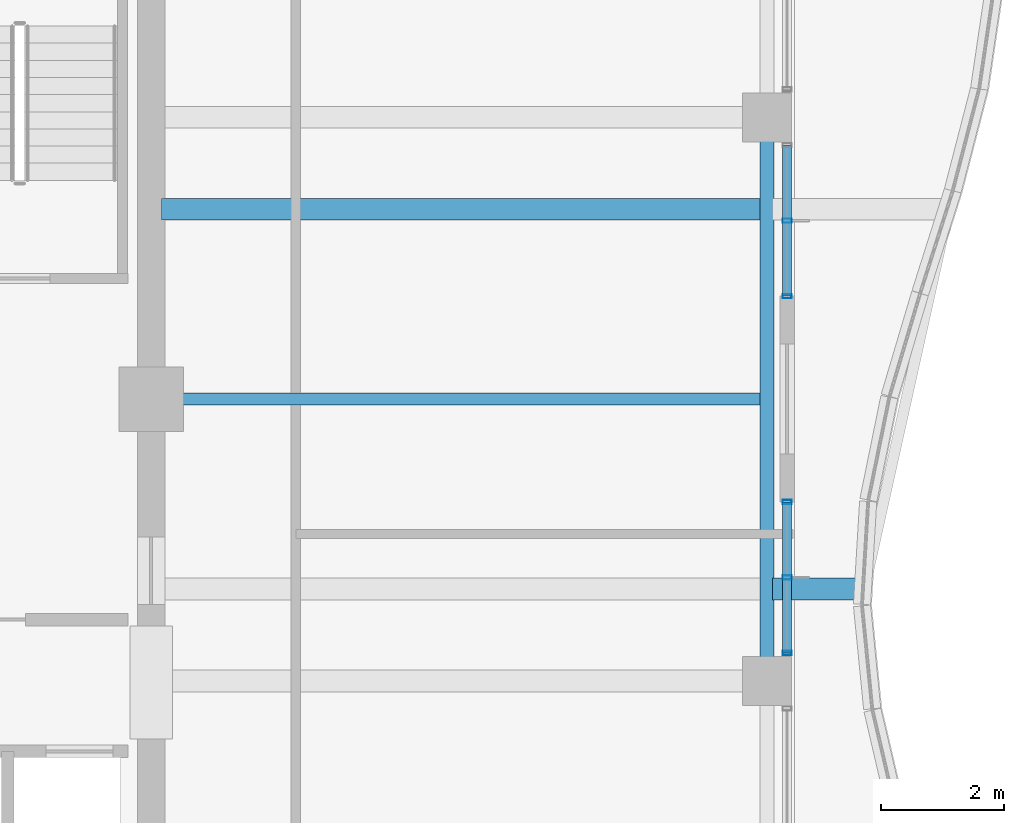
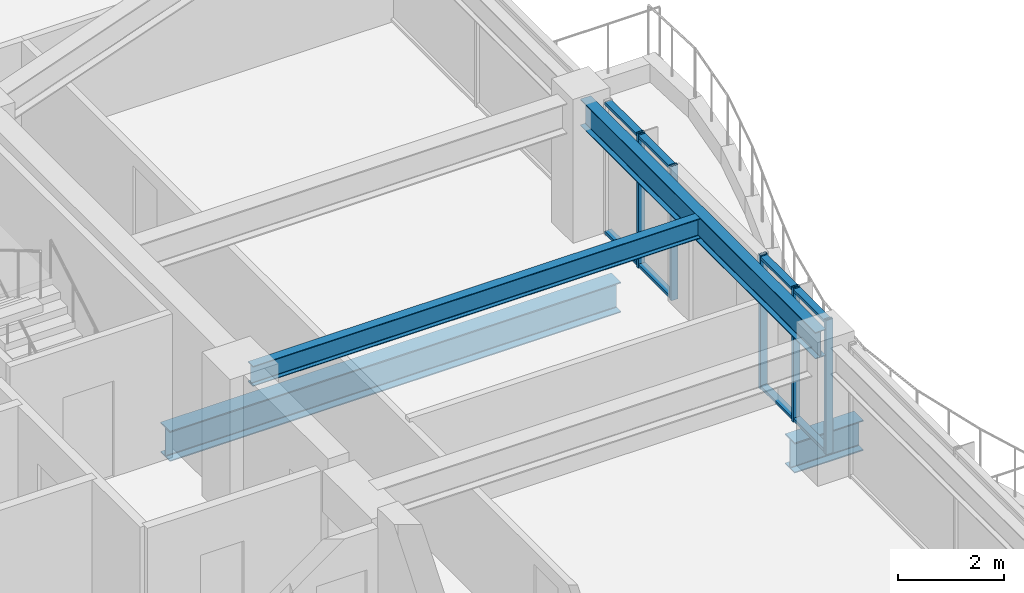
# One storey, part 13 of 34: 9 members, 4 beams, 2 elements without a shape of their own.
"""IFC4 building model written with IfcOpenShell, lengths in metres."""

from ifc_helpers import new_model, si_unit, direction, frame, origin, origin_2d, place, context, subcontext, project, spatial, hollow_rectangle, i_section, extrude, material, material_profile, profile_set, type_object, element, aggregate, save


model = new_model("IFC4")

# Units and contexts
model_context = context("Model", 3, precision=1e-05, world=origin(), true_north=direction((0.0, 1.0)))
body_context = subcontext(model_context, "Body", "Model", "MODEL_VIEW")
ifc_project = project(units=[si_unit("LENGTHUNIT", "METRE"), si_unit("AREAUNIT", "SQUARE_METRE"), si_unit("VOLUMEUNIT", "CUBIC_METRE"), si_unit("PLANEANGLEUNIT", "RADIAN"), si_unit("MASSUNIT", "GRAM", prefix="KILO")], contexts=[model_context])

# Site, building, storey
site_placement = place(None, origin())
site = spatial("IfcSite", under=ifc_project, at=site_placement, CompositionType="ELEMENT")
building_placement = place(site_placement, origin())
building = spatial("IfcBuilding", under=site, at=building_placement, Name="Kolvaren Belvedere", CompositionType="ELEMENT")
storey_placement = place(building_placement, frame((0.0, 0.0, 222.89990234375)))
storey = spatial("IfcBuildingStorey", under=building, at=storey_placement, Name="L65", CompositionType="ELEMENT", Elevation=222.89990234375)

# Beams
ifc_material_1 = material(Name="Structural steel ASTM A992 Grade 50", Category="steel")
ifc_material_profile_1 = material_profile(ifc_material_1, i_section(OverallWidth=0.35498046875, OverallDepth=0.696044921875, WebThickness=0.015380859375, FlangeThickness=0.02490234375, FilletRadius=0.02197265625, at=origin_2d()), Name="W27X146")
ifc_profile_set_1 = profile_set([ifc_material_profile_1], Name="Structural steel ASTM A992 Grade 50")
beam_type_1 = type_object("IfcBeamType", Name="BM-CANT-BAL", PredefinedType="BEAM", material=ifc_profile_set_1)
beam_1_placement = place(storey_placement, frame((20.044921875, -3.10009765625, -0.56787109375), z_axis=(1.0, 0.0, 0.0), x_axis=(0.0, 1.0, 0.0)))
element("IfcBeam", 1, at=beam_1_placement, inside=storey, type_object=beam_type_1, Name="L65 Planted Balcony Cantilever BAL-E-1", PredefinedType="BEAM", context=body_context, shape_type="SweptSolid", body=[
    extrude(i_section(OverallWidth=0.35498046875, OverallDepth=0.696044921875, WebThickness=0.015380859375, FlangeThickness=0.02490234375, FilletRadius=0.02197265625, at=origin_2d()), origin(), (0.0, 0.0, 1.0), 1.49267578125),
])
ifc_material_2 = material(Name="Structural steel ASTM A992 Grade 50", Category="steel")
ifc_material_profile_2 = material_profile(ifc_material_2, i_section(OverallWidth=0.35498046875, OverallDepth=0.696044921875, WebThickness=0.015380859375, FlangeThickness=0.02490234375, FilletRadius=0.02197265625, at=origin_2d()), Name="W27X146")
ifc_profile_set_2 = profile_set([ifc_material_profile_2], Name="Structural steel ASTM A992 Grade 50")
beam_type_2 = type_object("IfcBeamType", Name="BM-GIRD-W27X146", PredefinedType="BEAM", material=ifc_profile_set_2)
beam_2_placement = place(storey_placement, frame((10.06494140625, 3.10009765625, -0.56787109375), z_axis=(1.0, 0.0, 0.0), x_axis=(0.0, 1.0, 0.0)))
element("IfcBeam", 2, at=beam_2_placement, inside=storey, type_object=beam_type_2, Name="L65 Balcony Interior Back-Span Girder BAL-E-2", PredefinedType="BEAM", context=body_context, shape_type="SweptSolid", body=[
    extrude(i_section(OverallWidth=0.35498046875, OverallDepth=0.696044921875, WebThickness=0.015380859375, FlangeThickness=0.02490234375, FilletRadius=0.02197265625, at=origin_2d()), origin(), (0.0, 0.0, 1.0), 9.7900390625),
])
ifc_material_3 = material(Name="Structural steel ASTM A992 Grade 50", Category="steel")
ifc_material_profile_3 = material_profile(ifc_material_3, i_section(OverallWidth=0.19091796875, OverallDepth=0.4599609375, WebThickness=0.010009765625, FlangeThickness=0.01611328125, FilletRadius=0.014892578125, at=origin_2d()), Name="W18X55")
ifc_profile_set_3 = profile_set([ifc_material_profile_3], Name="Structural steel ASTM A992 Grade 50")
beam_type_3 = type_object("IfcBeamType", Name="BM-JOIST-W18X55", PredefinedType="BEAM", material=ifc_profile_set_3)
beam_3_placement = place(storey_placement, frame((10.125, 0.0, 2.85009765625), z_axis=(1.0, 0.0, 0.0), x_axis=(0.0, 1.0, 0.0)))
element("IfcBeam", 3, at=beam_3_placement, inside=storey, type_object=beam_type_3, Name="L65 East Centre Floor Beam", PredefinedType="BEAM", context=body_context, shape_type="SweptSolid", body=[
    extrude(i_section(OverallWidth=0.19091796875, OverallDepth=0.4599609375, WebThickness=0.010009765625, FlangeThickness=0.01611328125, FilletRadius=0.014892578125, at=origin_2d()), origin(), (0.0, 0.0, 1.0), 9.71044921875),
])
ifc_material_4 = material(Name="Structural steel ASTM A992 Grade 50", Category="steel")
ifc_material_profile_4 = material_profile(ifc_material_4, i_section(OverallWidth=0.22900390625, OverallDepth=0.612060546875, WebThickness=0.011962890625, FlangeThickness=0.01953125, FilletRadius=0.01806640625, at=origin_2d()), Name="W24X84")
ifc_profile_set_4 = profile_set([ifc_material_profile_4], Name="Structural steel ASTM A992 Grade 50")
beam_type_4 = type_object("IfcBeamType", Name="BM-SPAN-W24X84", PredefinedType="SPANDREL", material=ifc_profile_set_4)
beam_4_placement = place(storey_placement, frame((19.949951171875, -4.419921875, 2.774169921875), z_axis=(0.0, 1.0, 0.0), x_axis=(-1.0, 0.0, 0.0)))
element("IfcBeam", 4, at=beam_4_placement, inside=storey, type_object=beam_type_4, Name="L65 Perimeter Spandrel E2-E3", PredefinedType="SPANDREL", context=body_context, shape_type="SweptSolid", body=[
    extrude(i_section(OverallWidth=0.22900390625, OverallDepth=0.612060546875, WebThickness=0.011962890625, FlangeThickness=0.01953125, FilletRadius=0.01806640625, at=origin_2d()), origin(), (0.0, 0.0, 1.0), 8.83984375),
])

# Curtain wall, members
ifc_material_5 = material(Name="Anodised pale-metal aluminium AA 6063-T6", Category="aluminium")
curtain_wall_type = type_object("IfcCurtainWallType", Name="CW-Z5-HIGH", PredefinedType="NOTDEFINED", material=ifc_material_5)
curtain_wall_1_placement = place(storey_placement, origin())
curtain_wall_1 = element("IfcCurtainWall", 5, at=curtain_wall_1_placement, inside=storey, type_object=curtain_wall_type, Name="L65 Unitised Curtain Wall FCW-L65-E1-B2", PredefinedType="NOTDEFINED")
ifc_material_6 = material(Name="Anodised pale-metal aluminium AA 6063-T6", Category="aluminium")
ifc_material_profile_5 = material_profile(ifc_material_6, hollow_rectangle(XDim=0.070068359375, YDim=0.14990234375, WallThickness=0.004150390625, at=origin_2d()), Name="ALU-MUL-150X70")
ifc_profile_set_5 = profile_set([ifc_material_profile_5], Name="Anodised pale-metal aluminium AA 6063-T6")
member_type_1 = type_object("IfcMemberType", Name="CW-MUL-150", PredefinedType="MULLION", material=ifc_profile_set_5)
member_1_placement = place(storey_placement, frame((20.280029296875, 2.91259765625, 0.0), z_axis=(0.0, 0.0, 1.0), x_axis=(0.0, 1.0, 0.0)))
member_1 = element("IfcMember", 6, at=member_1_placement, type_object=member_type_1, Name="FCW-L65-E1-B2 Unitised Mullion 2", PredefinedType="MULLION", context=body_context, shape_type="SweptSolid", body=[
    extrude(hollow_rectangle(XDim=0.070068359375, YDim=0.14990234375, WallThickness=0.004150390625, at=origin_2d()), origin(), (0.0, 0.0, 1.0), 3.080078125),
])
member_2_placement = place(storey_placement, frame((20.280029296875, 1.679931640625, 0.0), z_axis=(0.0, 0.0, 1.0), x_axis=(0.0, 1.0, 0.0)))
member_2 = element("IfcMember", 7, at=member_2_placement, type_object=member_type_1, Name="FCW-L65-E1-B2 Unitised Mullion 3", PredefinedType="MULLION", context=body_context, shape_type="SweptSolid", body=[
    extrude(hollow_rectangle(XDim=0.070068359375, YDim=0.14990234375, WallThickness=0.004150390625, at=origin_2d()), origin(), (0.0, 0.0, 1.0), 3.080078125),
])

curtain_wall_2_placement = place(storey_placement, origin())
curtain_wall_2 = element("IfcCurtainWall", 8, at=curtain_wall_2_placement, inside=storey, type_object=curtain_wall_type, Name="L65 Unitised Curtain Wall FCW-L65-E2-B1", PredefinedType="NOTDEFINED")
member_3_placement = place(storey_placement, frame((20.280029296875, -1.679931640625, 0.0), z_axis=(0.0, 0.0, 1.0), x_axis=(0.0, 1.0, 0.0)))
member_3 = element("IfcMember", 9, at=member_3_placement, type_object=member_type_1, Name="FCW-L65-E2-B1 Unitised Mullion 1", PredefinedType="MULLION", context=body_context, shape_type="SweptSolid", body=[
    extrude(hollow_rectangle(XDim=0.070068359375, YDim=0.14990234375, WallThickness=0.004150390625, at=origin_2d()), origin(), (0.0, 0.0, 1.0), 3.080078125),
])
member_4_placement = place(storey_placement, frame((20.280029296875, -2.91259765625, 0.0), z_axis=(0.0, 0.0, 1.0), x_axis=(0.0, 1.0, 0.0)))
member_4 = element("IfcMember", 10, at=member_4_placement, type_object=member_type_1, Name="FCW-L65-E2-B1 Unitised Mullion 2", PredefinedType="MULLION", context=body_context, shape_type="SweptSolid", body=[
    extrude(hollow_rectangle(XDim=0.070068359375, YDim=0.14990234375, WallThickness=0.004150390625, at=origin_2d()), origin(), (0.0, 0.0, 1.0), 3.080078125),
])
member_5_placement = place(storey_placement, frame((20.280029296875, -4.14501953125, 0.0), z_axis=(0.0, 0.0, 1.0), x_axis=(0.0, 1.0, 0.0)))
member_5 = element("IfcMember", 11, at=member_5_placement, type_object=member_type_1, Name="FCW-L65-E2-B1 Unitised Mullion 3", PredefinedType="MULLION", context=body_context, shape_type="SweptSolid", body=[
    extrude(hollow_rectangle(XDim=0.070068359375, YDim=0.14990234375, WallThickness=0.004150390625, at=origin_2d()), origin(), (0.0, 0.0, 1.0), 3.080078125),
])

# Member
ifc_material_7 = material(Name="Anodised pale-metal aluminium AA 6063-T6", Category="aluminium")
ifc_material_profile_6 = material_profile(ifc_material_7, hollow_rectangle(XDim=0.06494140625, YDim=0.14990234375, WallThickness=0.00390625, at=origin_2d()), Name="ALU-TRN-150X65")
ifc_profile_set_6 = profile_set([ifc_material_profile_6], Name="Anodised pale-metal aluminium AA 6063-T6")
member_type_2 = type_object("IfcMemberType", Name="CW-TRN-150", PredefinedType="USERDEFINED", material=ifc_profile_set_6)
member_6_placement = place(storey_placement, frame((20.280029296875, 4.14501953125, 0.06005859375), z_axis=(0.0, -1.0, 0.0), x_axis=(0.0, 0.0, 1.0)))
member_6 = element("IfcMember", 12, at=member_6_placement, type_object=member_type_2, Name="FCW-L65-E1-B2 Sill Transom", ObjectType="TRANSOM", PredefinedType="USERDEFINED", context=body_context, shape_type="SweptSolid", body=[
    extrude(hollow_rectangle(XDim=0.06494140625, YDim=0.14990234375, WallThickness=0.00390625, at=origin_2d()), origin(), (0.0, 0.0, 1.0), 2.465087890625),
])

member_7_placement = place(storey_placement, frame((20.280029296875, 4.14501953125, 3.02001953125), z_axis=(0.0, -1.0, 0.0), x_axis=(0.0, 0.0, 1.0)))
member_7 = element("IfcMember", 13, at=member_7_placement, type_object=member_type_2, Name="FCW-L65-E1-B2 Head Transom", ObjectType="TRANSOM", PredefinedType="USERDEFINED", context=body_context, shape_type="SweptSolid", body=[
    extrude(hollow_rectangle(XDim=0.06494140625, YDim=0.14990234375, WallThickness=0.00390625, at=origin_2d()), origin(), (0.0, 0.0, 1.0), 2.465087890625),
])

aggregate(curtain_wall_1, [member_1, member_2, member_6, member_7])

member_8_placement = place(storey_placement, frame((20.280029296875, -1.679931640625, 0.06005859375), z_axis=(0.0, -1.0, 0.0), x_axis=(0.0, 0.0, 1.0)))
member_8 = element("IfcMember", 14, at=member_8_placement, type_object=member_type_2, Name="FCW-L65-E2-B1 Sill Transom", ObjectType="TRANSOM", PredefinedType="USERDEFINED", context=body_context, shape_type="SweptSolid", body=[
    extrude(hollow_rectangle(XDim=0.06494140625, YDim=0.14990234375, WallThickness=0.00390625, at=origin_2d()), origin(), (0.0, 0.0, 1.0), 2.465087890625),
])

member_9_placement = place(storey_placement, frame((20.280029296875, -1.679931640625, 3.02001953125), z_axis=(0.0, -1.0, 0.0), x_axis=(0.0, 0.0, 1.0)))
member_9 = element("IfcMember", 15, at=member_9_placement, type_object=member_type_2, Name="FCW-L65-E2-B1 Head Transom", ObjectType="TRANSOM", PredefinedType="USERDEFINED", context=body_context, shape_type="SweptSolid", body=[
    extrude(hollow_rectangle(XDim=0.06494140625, YDim=0.14990234375, WallThickness=0.00390625, at=origin_2d()), origin(), (0.0, 0.0, 1.0), 2.465087890625),
])

aggregate(curtain_wall_2, [member_3, member_4, member_5, member_8, member_9])

save(model, "model.ifc")
